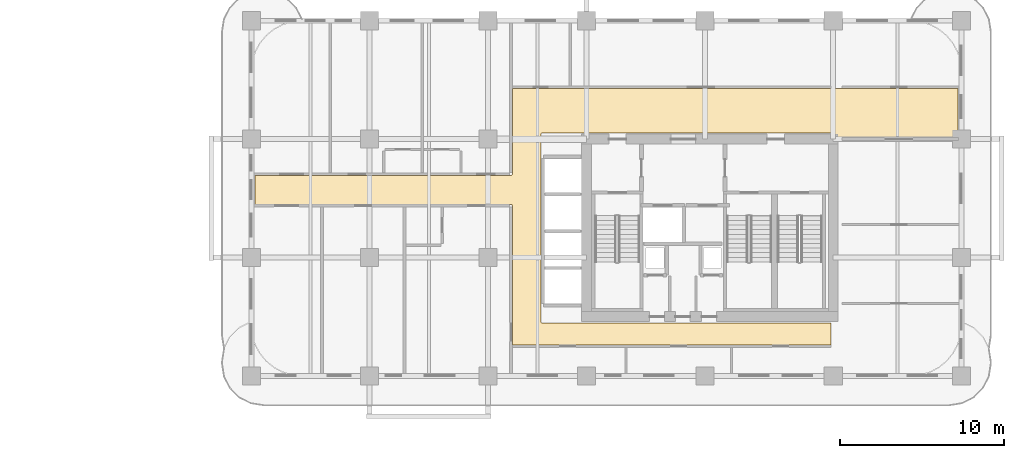
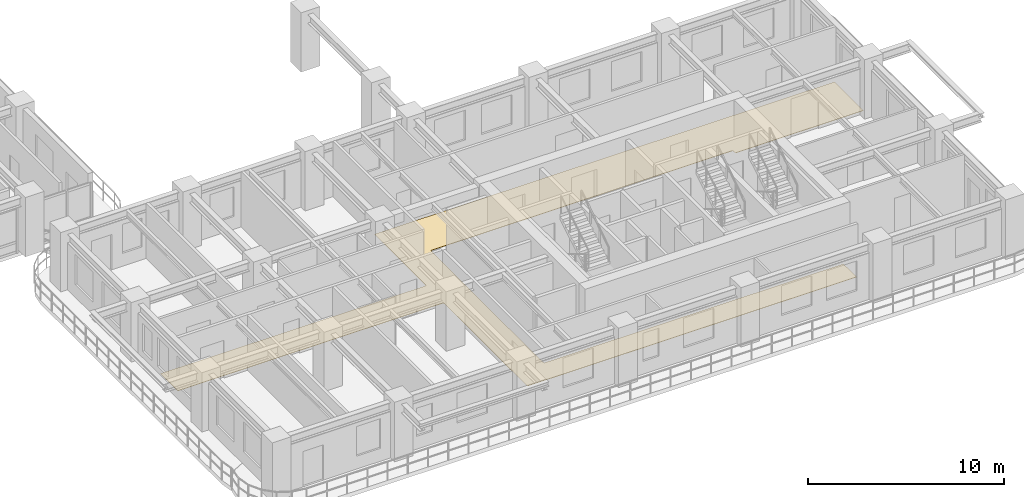
# One storey, part 15 of 18: 1 covering.
"""IFC4 building model written with IfcOpenShell, lengths in metres."""

from ifc_helpers import new_model, si_unit, derived_unit, direction, frame, origin, place, context, subcontext, project, spatial, polyline, outline, extrude, material, layer, layer_set, type_object, element, save


model = new_model("IFC4")

# Units and contexts
model_context = context("Model", 3, precision=1e-05, world=origin(), true_north=direction((0.0, 1.0)))
body_context = subcontext(model_context, "Body", "Model", "MODEL_VIEW")
ifc_project = project(units=[si_unit("LENGTHUNIT", "METRE"), si_unit("AREAUNIT", "SQUARE_METRE"), si_unit("VOLUMEUNIT", "CUBIC_METRE"), si_unit("PLANEANGLEUNIT", "RADIAN"), si_unit("MASSUNIT", "GRAM", prefix="KILO"), si_unit("THERMODYNAMICTEMPERATUREUNIT", "KELVIN"), si_unit("POWERUNIT", "WATT"), derived_unit("THERMALTRANSMITTANCEUNIT", [(si_unit("POWERUNIT", "WATT"), 1), (si_unit("AREAUNIT", "SQUARE_METRE"), -1), (si_unit("THERMODYNAMICTEMPERATUREUNIT", "KELVIN"), -1)])], contexts=[model_context])

# Site, building, storey
site_placement = place(None, origin())
site = spatial("IfcSite", under=ifc_project, at=site_placement, CompositionType="ELEMENT")
building_placement = place(site_placement, origin())
building = spatial("IfcBuilding", under=site, at=building_placement, Name="Zahravan Archway Hotel and Residences", CompositionType="ELEMENT")
storey_placement = place(building_placement, frame((0.0, 0.0, 50.89990234375)))
storey = spatial("IfcBuildingStorey", under=building, at=storey_placement, Name="L11", CompositionType="ELEMENT", Elevation=50.89990234375)

# Covering
ifc_material = material(Name="Engineered Walnut Parquet Flooring")
ifc_layer = layer(ifc_material, 0.02197265625, Name="Engineered Walnut Parquet Flooring")
ifc_layer_set = layer_set([ifc_layer], Name="Engineered Walnut Parquet Flooring")
covering_type = type_object("IfcCoveringType", Name="COV-FLR-TIMB", PredefinedType="FLOORING", material=ifc_layer_set)
covering_placement = place(storey_placement, origin())
element("IfcCovering", 1, at=covering_placement, inside=storey, type_object=covering_type, Name="L11 Circulation Floor Finish", PredefinedType="FLOORING", context=body_context, shape_type="SweptSolid", body=[
    extrude(outline(polyline([(57.3798828125, 14.530029296875), (49.830078125, 14.530029296875), (49.830078125, 14.699951171875), (49.81640625, 14.744384765625), (49.780517578125, 14.77392578125), (32.10009765625, 14.780029296875), (32.0556640625, 14.7666015625), (32.026123046875, 14.730712890625), (32.02001953125, 3.300048828125), (32.033447265625, 3.255615234375), (32.0693359375, 3.22607421875), (49.669921875, 3.219970703125), (49.669921875, 1.8798828125), (30.280029296875, 1.8798828125), (30.280029296875, 10.35009765625), (30.2666015625, 10.394287109375), (30.230712890625, 10.423828125), (14.6201171875, 10.429931640625), (14.6201171875, 12.18994140625), (30.199951171875, 12.18994140625), (30.244384765625, 12.20361328125), (30.27392578125, 12.239501953125), (30.280029296875, 17.469970703125), (57.3798828125, 17.469970703125), (57.3798828125, 14.530029296875)])), origin(), (0.0, 0.0, 1.0), 0.022216796875),
])

save(model, "model.ifc")
